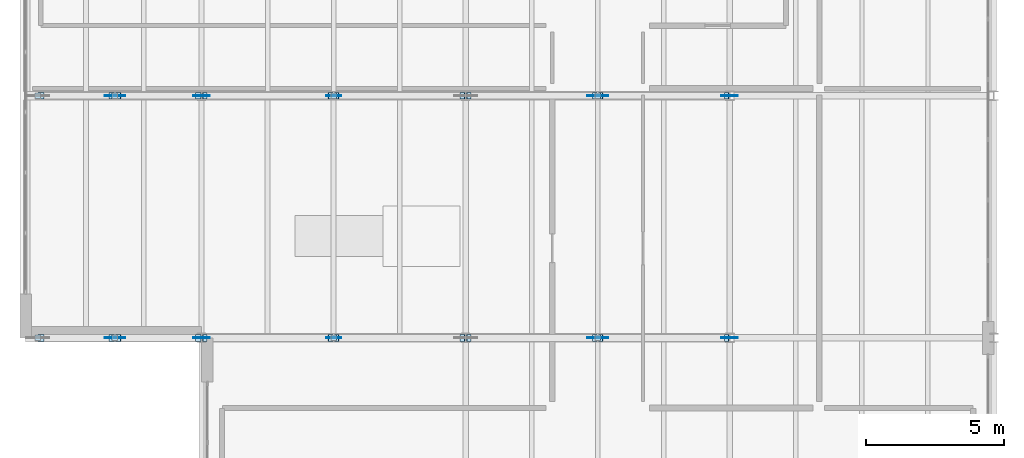
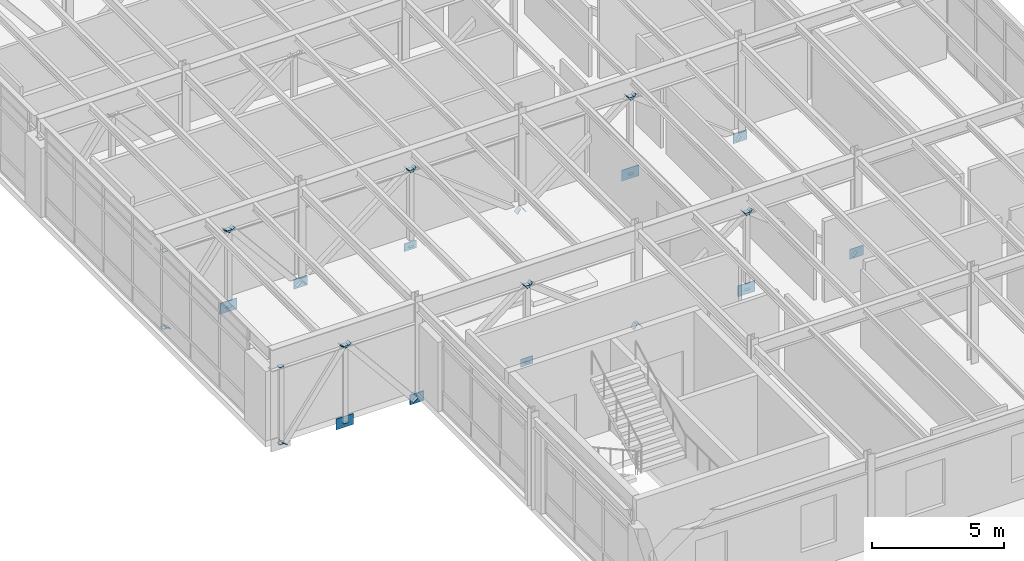
# One storey, part 62 of 88: 50 plates.
"""IFC4 building model written with IfcOpenShell, lengths in metres."""

from ifc_helpers import new_model, si_unit, direction, frame, origin, origin_2d, place, context, subcontext, project, spatial, rectangle, extrude, material, layer, layer_set, type_object, element, save


model = new_model("IFC4")

# Units and contexts
model_context = context("Model", 3, precision=1e-05, world=origin(), true_north=direction((0.0, 1.0)))
body_context = subcontext(model_context, "Body", "Model", "MODEL_VIEW")
ifc_project = project(units=[si_unit("LENGTHUNIT", "METRE"), si_unit("AREAUNIT", "SQUARE_METRE"), si_unit("VOLUMEUNIT", "CUBIC_METRE"), si_unit("PLANEANGLEUNIT", "RADIAN"), si_unit("MASSUNIT", "GRAM", prefix="KILO")], contexts=[model_context])

# Site, building, storey
site_placement = place(None, origin())
site = spatial("IfcSite", under=ifc_project, at=site_placement, CompositionType="ELEMENT")
building_placement = place(site_placement, origin())
building = spatial("IfcBuilding", under=site, at=building_placement, Name="Sarnbrook Museum", CompositionType="ELEMENT")
storey_placement = place(building_placement, frame((0.0, 0.0, 10.10009765625)))
storey = spatial("IfcBuildingStorey", under=building, at=storey_placement, Name="L02", CompositionType="ELEMENT", Elevation=10.10009765625)

# Plates
ifc_material = material(Name="Structural Steel Grade 350L0 (AS/NZS 3678, fy = 340 MPa for 20 < t <= 40 mm)", Category="steel")
ifc_layer_1 = layer(ifc_material, 0.01611328125)
ifc_layer_set_1 = layer_set([ifc_layer_1], Name="Structural Steel Grade 350L0 (AS/NZS 3678, fy = 340 MPa for 20 < t <= 40 mm)")
plate_type_1 = type_object("IfcPlateType", Name="EndCapPlate_CAP200", PredefinedType="USERDEFINED", material=ifc_layer_set_1)
for number, where, z_axis, x_axis, name in (
    (1, (28.0, 56.800048828125, -0.316162109375), (0.0, 0.0, 1.0), (1.0, 0.0, 0.0), "Hollow End Cap Plate TT:TT1:V1-1"),
    (2, (28.0, 56.800048828125, 3.23974609375), (0.0, 0.0, 1.0), (1.0, 0.0, 0.0), "Hollow End Cap Plate TT:TT1:V1-2"),
    (3, (18.39990234375, 56.800048828125, -0.316162109375), (0.0, 0.0, 1.0), (1.0, 0.0, 0.0), "Hollow End Cap Plate TT:TT1:V3-1"),
    (4, (18.39990234375, 56.800048828125, 3.23974609375), (0.0, 0.0, 1.0), (1.0, 0.0, 0.0), "Hollow End Cap Plate TT:TT1:V3-2"),
    (5, (10.449951171875, 56.800048828125, -0.316162109375), (0.0, 0.0, 1.0), (1.0, 0.0, 0.0), "Hollow End Cap Plate TT:TT1:V5-1"),
    (6, (10.449951171875, 56.800048828125, 3.23974609375), (0.0, 0.0, 1.0), (1.0, 0.0, 0.0), "Hollow End Cap Plate TT:TT1:V5-2"),
    (7, (7.64990234375, 56.800048828125, -0.316162109375), (0.0, 0.0, 1.0), (1.0, 0.0, 0.0), "Hollow End Cap Plate TT:TT1:V6-1"),
    (8, (7.64990234375, 56.800048828125, 3.23974609375), (0.0, 0.0, 1.0), (1.0, 0.0, 0.0), "Hollow End Cap Plate TT:TT1:V6-2"),
    (9, (28.0, 65.60009765625, -0.316162109375), (0.0, 0.0, 1.0), (1.0, 0.0, 0.0), "Hollow End Cap Plate TT:TT2:V1-1"),
    (10, (28.0, 65.60009765625, 3.23974609375), (0.0, 0.0, 1.0), (1.0, 0.0, 0.0), "Hollow End Cap Plate TT:TT2:V1-2"),
    (11, (18.39990234375, 65.60009765625, -0.316162109375), (0.0, 0.0, 1.0), (1.0, 0.0, 0.0), "Hollow End Cap Plate TT:TT2:V3-1"),
    (12, (18.39990234375, 65.60009765625, 3.23974609375), (0.0, 0.0, 1.0), (1.0, 0.0, 0.0), "Hollow End Cap Plate TT:TT2:V3-2"),
    (13, (10.449951171875, 65.60009765625, -0.316162109375), (0.0, 0.0, 1.0), (1.0, 0.0, 0.0), "Hollow End Cap Plate TT:TT2:V5-1"),
    (14, (10.449951171875, 65.60009765625, 3.23974609375), (0.0, 0.0, 1.0), (1.0, 0.0, 0.0), "Hollow End Cap Plate TT:TT2:V5-2"),
    (15, (7.64990234375, 65.60009765625, -0.316162109375), (0.0, 0.0, 1.0), (1.0, 0.0, 0.0), "Hollow End Cap Plate TT:TT2:V6-1"),
    (16, (7.64990234375, 65.60009765625, 3.23974609375), (0.0, 0.0, 1.0), (1.0, 0.0, 0.0), "Hollow End Cap Plate TT:TT2:V6-2"),
):
    element("IfcPlate", number, at=place(storey_placement, frame(where, z_axis=z_axis, x_axis=x_axis)), inside=storey, type_object=plate_type_1, Name=name, ObjectType="END CAP PLATE", PredefinedType="USERDEFINED", context=body_context, shape_type="SweptSolid", body=[
        extrude(rectangle(XDim=0.199951171875, YDim=0.199951171875, at=origin_2d()), origin(), (0.0, 0.0, 1.0), 0.01611328125),
    ])
ifc_layer_2 = layer(ifc_material, 0.01611328125)
ifc_layer_set_2 = layer_set([ifc_layer_2], Name="Structural Steel Grade 350L0 (AS/NZS 3678, fy = 340 MPa for 20 < t <= 40 mm)")
plate_type_2 = type_object("IfcPlateType", Name="EndCapPlate_CAP250", PredefinedType="USERDEFINED", material=ifc_layer_set_2)
for number, where, z_axis, x_axis, name in (
    (17, (32.692626953125, 56.800048828125, -0.309814453125), (-0.789911543396, 0.0, 0.613220803308), (0.0, -1.0, 0.0), "Hollow End Cap Plate TT:TT1:D0-1"),
    (18, (28.1201171875, 56.800048828125, 3.239990234375), (-0.789911543396, 0.0, 0.613220803308), (0.0, -1.0, 0.0), "Hollow End Cap Plate TT:TT1:D0-2"),
    (19, (27.892578125, 56.800048828125, 3.249755859375), (-0.789911543396, 0.0, -0.613220803308), (0.0, -1.0, 0.0), "Hollow End Cap Plate TT:TT1:D1-1"),
    (20, (23.320068359375, 56.800048828125, -0.300048828125), (-0.789911543396, 0.0, -0.613220803308), (0.0, -1.0, 0.0), "Hollow End Cap Plate TT:TT1:D1-2"),
    (21, (23.0927734375, 56.800048828125, -0.309814453125), (-0.789911543396, 0.0, 0.613220803308), (0.0, -1.0, 0.0), "Hollow End Cap Plate TT:TT1:D2-1"),
    (22, (18.52001953125, 56.800048828125, 3.239990234375), (-0.789911543396, 0.0, 0.613220803308), (0.0, -1.0, 0.0), "Hollow End Cap Plate TT:TT1:D2-2"),
    (23, (18.292724609375, 56.800048828125, 3.249755859375), (-0.789911543396, 0.0, -0.613220803308), (0.0, -1.0, 0.0), "Hollow End Cap Plate TT:TT1:D3-1"),
    (24, (13.719970703125, 56.800048828125, -0.300048828125), (-0.789911543396, 0.0, -0.613220803308), (0.0, -1.0, 0.0), "Hollow End Cap Plate TT:TT1:D3-2"),
    (25, (13.490234375, 56.800048828125, -0.3125), (-0.635018596324, 0.0, 0.772496849394), (0.0, -1.0, 0.0), "Hollow End Cap Plate TT:TT1:D4-1"),
    (26, (10.570068359375, 56.800048828125, 3.239990234375), (-0.635018596324, 0.0, 0.772496849394), (0.0, -1.0, 0.0), "Hollow End Cap Plate TT:TT1:D4-2"),
    (27, (10.33935546875, 56.800048828125, 3.2529296875), (-0.585991893066, 0.0, -0.810316914091), (0.0, -1.0, 0.0), "Hollow End Cap Plate TT:TT1:D5-1"),
    (28, (7.77001953125, 56.800048828125, -0.300048828125), (-0.585991893066, 0.0, -0.810316914091), (0.0, -1.0, 0.0), "Hollow End Cap Plate TT:TT1:D5-2"),
    (29, (32.692626953125, 65.60009765625, -0.309814453125), (-0.789911543396, 0.0, 0.613220803308), (0.0, -1.0, 0.0), "Hollow End Cap Plate TT:TT2:D0-1"),
    (30, (28.1201171875, 65.60009765625, 3.239990234375), (-0.789911543396, 0.0, 0.613220803308), (0.0, -1.0, 0.0), "Hollow End Cap Plate TT:TT2:D0-2"),
    (31, (27.892578125, 65.60009765625, 3.249755859375), (-0.789911543396, 0.0, -0.613220803308), (0.0, -1.0, 0.0), "Hollow End Cap Plate TT:TT2:D1-1"),
    (32, (23.320068359375, 65.60009765625, -0.300048828125), (-0.789911543396, 0.0, -0.613220803308), (0.0, -1.0, 0.0), "Hollow End Cap Plate TT:TT2:D1-2"),
    (33, (23.0927734375, 65.60009765625, -0.309814453125), (-0.789911543396, 0.0, 0.613220803308), (0.0, -1.0, 0.0), "Hollow End Cap Plate TT:TT2:D2-1"),
    (34, (18.52001953125, 65.60009765625, 3.239990234375), (-0.789911543396, 0.0, 0.613220803308), (0.0, -1.0, 0.0), "Hollow End Cap Plate TT:TT2:D2-2"),
    (35, (18.292724609375, 65.60009765625, 3.249755859375), (-0.789911543396, 0.0, -0.613220803308), (0.0, -1.0, 0.0), "Hollow End Cap Plate TT:TT2:D3-1"),
    (36, (13.719970703125, 65.60009765625, -0.300048828125), (-0.789911543396, 0.0, -0.613220803308), (0.0, -1.0, 0.0), "Hollow End Cap Plate TT:TT2:D3-2"),
    (37, (13.490234375, 65.60009765625, -0.3125), (-0.635018596324, 0.0, 0.772496849394), (0.0, -1.0, 0.0), "Hollow End Cap Plate TT:TT2:D4-1"),
    (38, (10.570068359375, 65.60009765625, 3.239990234375), (-0.635018596324, 0.0, 0.772496849394), (0.0, -1.0, 0.0), "Hollow End Cap Plate TT:TT2:D4-2"),
    (39, (10.33935546875, 65.60009765625, 3.2529296875), (-0.585991893066, 0.0, -0.810316914091), (0.0, -1.0, 0.0), "Hollow End Cap Plate TT:TT2:D5-1"),
    (40, (7.77001953125, 65.60009765625, -0.300048828125), (-0.585991893066, 0.0, -0.810316914091), (0.0, -1.0, 0.0), "Hollow End Cap Plate TT:TT2:D5-2"),
):
    element("IfcPlate", number, at=place(storey_placement, frame(where, z_axis=z_axis, x_axis=x_axis)), inside=storey, type_object=plate_type_2, Name=name, ObjectType="END CAP PLATE", PredefinedType="USERDEFINED", context=body_context, shape_type="SweptSolid", body=[
        extrude(rectangle(XDim=0.25, YDim=0.25, at=origin_2d()), origin(), (0.0, 0.0, 1.0), 0.01611328125),
    ])
ifc_layer_3 = layer(ifc_material, 0.031982421875)
ifc_layer_set_3 = layer_set([ifc_layer_3], Name="Structural Steel Grade 350L0 (AS/NZS 3678, fy = 340 MPa for 20 < t <= 40 mm)")
plate_type_3 = type_object("IfcPlateType", Name="GussetPlate_KN1", PredefinedType="USERDEFINED", material=ifc_layer_set_3)
for number, where, z_axis, x_axis, name in (
    (41, (32.800048828125, 56.800048828125, -0.52490234375), (0.0, 0.0, 1.0), (1.0, 0.0, 0.0), "Transfer Truss Node Gusset Plate KN-1 TT1-B0"),
    (42, (13.60009765625, 56.800048828125, -0.52490234375), (0.0, 0.0, 1.0), (1.0, 0.0, 0.0), "Transfer Truss Node Gusset Plate KN-1 TT1-B4"),
    (43, (32.800048828125, 65.60009765625, -0.52490234375), (0.0, 0.0, 1.0), (1.0, 0.0, 0.0), "Transfer Truss Node Gusset Plate KN-1 TT2-B0"),
    (44, (13.60009765625, 65.60009765625, -0.52490234375), (0.0, 0.0, 1.0), (1.0, 0.0, 0.0), "Transfer Truss Node Gusset Plate KN-1 TT2-B4"),
):
    element("IfcPlate", number, at=place(storey_placement, frame(where, z_axis=z_axis, x_axis=x_axis)), inside=storey, type_object=plate_type_3, Name=name, ObjectType="GUSSET PLATE", PredefinedType="USERDEFINED", context=body_context, shape_type="SweptSolid", body=[
        extrude(rectangle(XDim=0.60009765625, YDim=0.031982421875, at=origin_2d()), origin(), (0.0, 0.0, 1.0), 0.449951171875),
    ])
ifc_layer_4 = layer(ifc_material, 0.031982421875)
ifc_layer_set_4 = layer_set([ifc_layer_4], Name="Structural Steel Grade 350L0 (AS/NZS 3678, fy = 340 MPa for 20 < t <= 40 mm)")
plate_type_4 = type_object("IfcPlateType", Name="GussetPlate_KN2", PredefinedType="USERDEFINED", material=ifc_layer_set_4)
for number, where, z_axis, x_axis, name in (
    (45, (28.0, 56.800048828125, -0.550048828125), (0.0, 0.0, 1.0), (1.0, 0.0, 0.0), "Transfer Truss Node Gusset Plate KN-2 TT1-B1"),
    (46, (10.449951171875, 56.800048828125, -0.550048828125), (0.0, 0.0, 1.0), (1.0, 0.0, 0.0), "Transfer Truss Node Gusset Plate KN-2 TT1-B5"),
    (47, (28.0, 65.60009765625, -0.550048828125), (0.0, 0.0, 1.0), (1.0, 0.0, 0.0), "Transfer Truss Node Gusset Plate KN-2 TT2-B1"),
    (48, (10.449951171875, 65.60009765625, -0.550048828125), (0.0, 0.0, 1.0), (1.0, 0.0, 0.0), "Transfer Truss Node Gusset Plate KN-2 TT2-B5"),
):
    element("IfcPlate", number, at=place(storey_placement, frame(where, z_axis=z_axis, x_axis=x_axis)), inside=storey, type_object=plate_type_4, Name=name, ObjectType="GUSSET PLATE", PredefinedType="USERDEFINED", context=body_context, shape_type="SweptSolid", body=[
        extrude(rectangle(XDim=0.75, YDim=0.031982421875, at=origin_2d()), origin(), (0.0, 0.0, 1.0), 0.5),
    ])
ifc_layer_5 = layer(ifc_material, 0.028076171875)
ifc_layer_set_5 = layer_set([ifc_layer_5], Name="Structural Steel Grade 350L0 (AS/NZS 3678, fy = 340 MPa for 20 < t <= 40 mm)")
plate_type_5 = type_object("IfcPlateType", Name="GussetPlate_KN4", PredefinedType="USERDEFINED", material=ifc_layer_set_5)
for number, where, z_axis, x_axis, name in (
    (49, (18.39990234375, 56.800048828125, -0.47998046875), (0.0, 0.0, 1.0), (1.0, 0.0, 0.0), "Transfer Truss Node Gusset Plate KN-4 TT1-B3"),
    (50, (18.39990234375, 65.60009765625, -0.47998046875), (0.0, 0.0, 1.0), (1.0, 0.0, 0.0), "Transfer Truss Node Gusset Plate KN-4 TT2-B3"),
):
    element("IfcPlate", number, at=place(storey_placement, frame(where, z_axis=z_axis, x_axis=x_axis)), inside=storey, type_object=plate_type_5, Name=name, ObjectType="GUSSET PLATE", PredefinedType="USERDEFINED", context=body_context, shape_type="SweptSolid", body=[
        extrude(rectangle(XDim=0.5400390625, YDim=0.028076171875, at=origin_2d()), origin(), (0.0, 0.0, 1.0), 0.360107421875),
    ])

save(model, "model.ifc")
